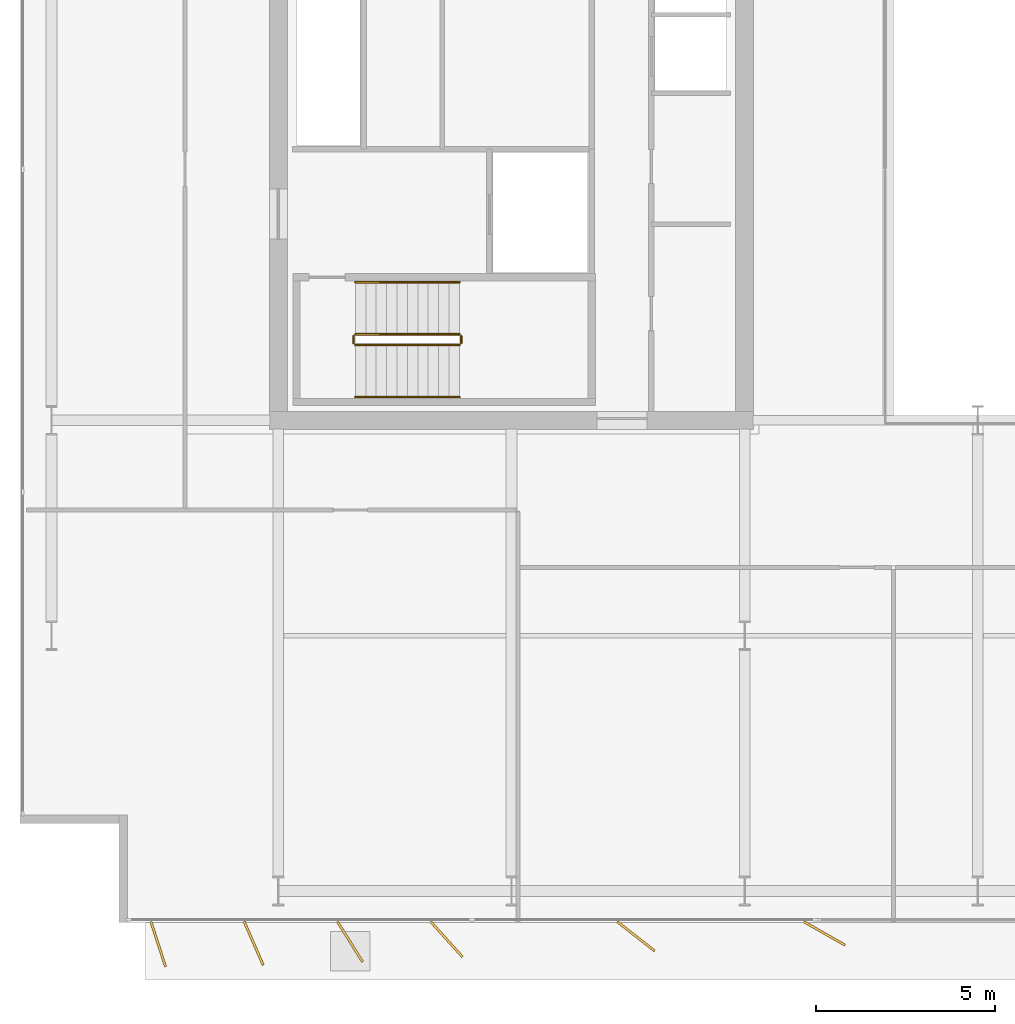
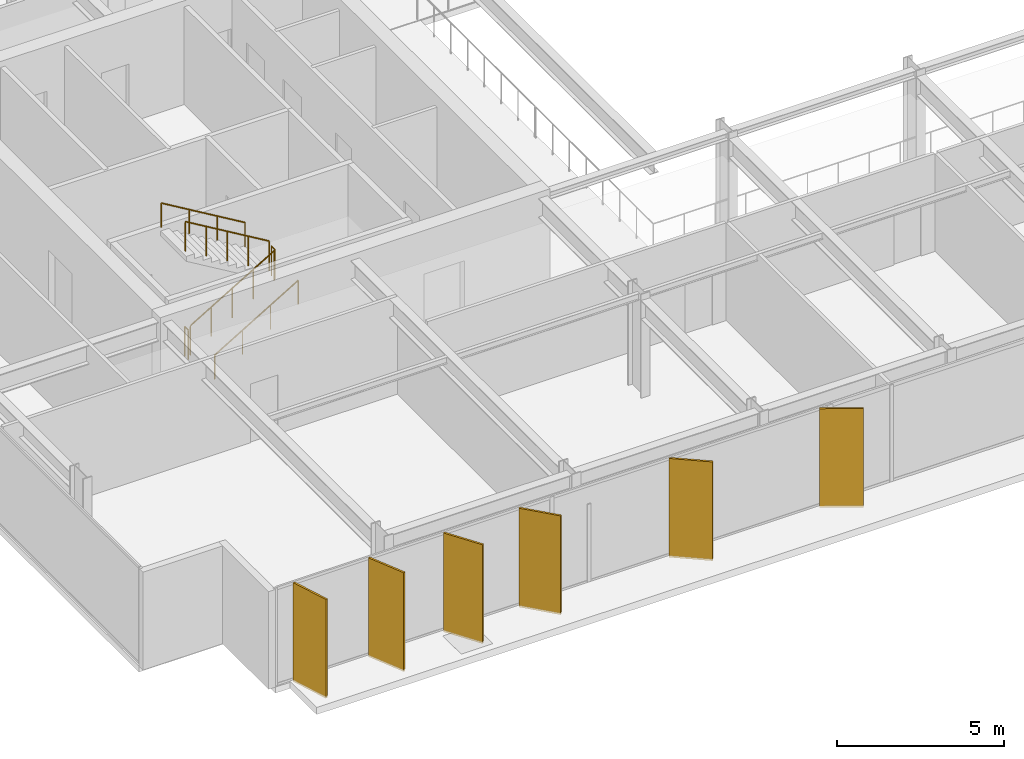
# One storey, part 20 of 23: 6 railings, 6 shading devices.
"""IFC4 building model written with IfcOpenShell, lengths in metres."""

from ifc_helpers import new_model, si_unit, direction, frame, origin, origin_2d, place, context, subcontext, project, spatial, rectangle, circle, extrude, material, layer, layer_set, type_object, element, save


model = new_model("IFC4")

# Units and contexts
model_context = context("Model", 3, precision=1e-05, world=origin(), true_north=direction((0.0, 1.0)))
body_context = subcontext(model_context, "Body", "Model", "MODEL_VIEW")
ifc_project = project(units=[si_unit("LENGTHUNIT", "METRE"), si_unit("AREAUNIT", "SQUARE_METRE"), si_unit("VOLUMEUNIT", "CUBIC_METRE"), si_unit("PLANEANGLEUNIT", "RADIAN"), si_unit("MASSUNIT", "GRAM", prefix="KILO")], contexts=[model_context])

# Site, building, storey
site_placement = place(None, origin())
site = spatial("IfcSite", under=ifc_project, at=site_placement, CompositionType="ELEMENT")
building_placement = place(site_placement, origin())
building = spatial("IfcBuilding", under=site, at=building_placement, Name="Putna Gate Headquarters", CompositionType="ELEMENT")
storey_placement = place(building_placement, frame((0.0, 0.0, 202.39990234375)))
storey = spatial("IfcBuildingStorey", under=building, at=storey_placement, Name="L50", CompositionType="ELEMENT", Elevation=202.39990234375)

# Railings
ifc_material_1 = material(Name="Powder-coated steel stair guardrail", Category="steel")
railing_type_1 = type_object("IfcRailingType", Name="RAIL-STAIR-GUARD-1100", PredefinedType="GUARDRAIL", material=ifc_material_1)
railing_1_placement = place(storey_placement, frame((15.14990234375, 21.10009765625, 0.1728515625)))
element("IfcRailing", 1, at=railing_1_placement, inside=storey, type_object=railing_type_1, Name="L50 ST1 stair guard 1", PredefinedType="GUARDRAIL", context=body_context, shape_type="SweptSolid", body=[
    extrude(circle(Radius=0.02392578125, at=origin_2d()), frame((0.0, 0.0, 1.076171875), z_axis=(0.859160404282, 0.0, 0.51170636083), x_axis=(0.0, 1.0, 0.0)), (0.0, 0.0, 1.0), 3.37548828125),
    extrude(circle(Radius=0.02099609375, at=origin_2d()), origin(), (0.0, 0.0, 1.0), 1.052001953125),
    extrude(circle(Radius=0.02099609375, at=origin_2d()), frame((0.72509765625, 0.0, 0.431884765625)), (0.0, 0.0, 1.0), 1.052001953125),
    extrude(circle(Radius=0.02099609375, at=origin_2d()), frame((1.4501953125, 0.0, 0.86376953125)), (0.0, 0.0, 1.0), 1.052001953125),
    extrude(circle(Radius=0.02099609375, at=origin_2d()), frame((2.175048828125, 0.0, 1.29541015625)), (0.0, 0.0, 1.0), 1.052001953125),
    extrude(circle(Radius=0.02099609375, at=origin_2d()), frame((2.900146484375, 0.0, 1.727294921875)), (0.0, 0.0, 1.0), 1.052001953125),
])
railing_2_placement = place(storey_placement, frame((18.10009765625, 21.14990234375, 1.900146484375)))
element("IfcRailing", 2, at=railing_2_placement, inside=storey, type_object=railing_type_1, Name="L50 ST1 stair guard 2", PredefinedType="GUARDRAIL", context=body_context, shape_type="SweptSolid", body=[
    extrude(circle(Radius=0.02392578125, at=origin_2d()), frame((0.0, 0.0, 1.076171875), z_axis=(0.0, 1.0, 0.0), x_axis=(-1.0, 0.0, 0.0)), (0.0, 0.0, 1.0), 0.2001953125),
    extrude(circle(Radius=0.02099609375, at=origin_2d()), origin(), (0.0, 0.0, 1.0), 1.052001953125),
    extrude(circle(Radius=0.02099609375, at=origin_2d()), frame((0.0, 0.2001953125, 0.0)), (0.0, 0.0, 1.0), 1.052001953125),
])
railing_3_placement = place(storey_placement, frame((18.050048828125, 21.39990234375, 2.07275390625)))
element("IfcRailing", 3, at=railing_3_placement, inside=storey, type_object=railing_type_1, Name="L50 ST1 stair guard 3", PredefinedType="GUARDRAIL", context=body_context, shape_type="SweptSolid", body=[
    extrude(circle(Radius=0.02392578125, at=origin_2d()), frame((0.0, 0.0, 1.076171875), z_axis=(-0.859160404282, 0.0, 0.51170636083), x_axis=(0.0, -1.0, 0.0)), (0.0, 0.0, 1.0), 3.37548828125),
    extrude(circle(Radius=0.02099609375, at=origin_2d()), origin(), (0.0, 0.0, 1.0), 1.052001953125),
    extrude(circle(Radius=0.02099609375, at=origin_2d()), frame((-0.72509765625, 0.0, 0.431884765625)), (0.0, 0.0, 1.0), 1.052001953125),
    extrude(circle(Radius=0.02099609375, at=origin_2d()), frame((-1.4501953125, 0.0, 0.86376953125)), (0.0, 0.0, 1.0), 1.052001953125),
    extrude(circle(Radius=0.02099609375, at=origin_2d()), frame((-2.175048828125, 0.0, 1.29541015625)), (0.0, 0.0, 1.0), 1.052001953125),
    extrude(circle(Radius=0.02099609375, at=origin_2d()), frame((-2.900146484375, 0.0, 1.727294921875)), (0.0, 0.0, 1.0), 1.052001953125),
])
railing_4_placement = place(storey_placement, frame((15.10009765625, 21.14990234375, 0.0)))
element("IfcRailing", 4, at=railing_4_placement, inside=storey, type_object=railing_type_1, Name="L50 ST1 stair guard 4", PredefinedType="GUARDRAIL", context=body_context, shape_type="SweptSolid", body=[
    extrude(circle(Radius=0.02392578125, at=origin_2d()), frame((0.0, 0.0, 1.076171875), z_axis=(0.0, 1.0, 0.0), x_axis=(-1.0, 0.0, 0.0)), (0.0, 0.0, 1.0), 0.2001953125),
    extrude(circle(Radius=0.02099609375, at=origin_2d()), origin(), (0.0, 0.0, 1.0), 1.052001953125),
    extrude(circle(Radius=0.02099609375, at=origin_2d()), frame((0.0, 0.2001953125, 0.0)), (0.0, 0.0, 1.0), 1.052001953125),
])
ifc_material_2 = material(Name="Brushed stainless steel handrail", Category="steel")
railing_type_2 = type_object("IfcRailingType", Name="RAIL-STAIR-HAND-900", PredefinedType="HANDRAIL", material=ifc_material_2)
railing_5_placement = place(storey_placement, frame((15.14990234375, 19.64990234375, 0.1728515625)))
element("IfcRailing", 5, at=railing_5_placement, inside=storey, type_object=railing_type_2, Name="L50 ST1 stair handrail 1", PredefinedType="HANDRAIL", context=body_context, shape_type="SweptSolid", body=[
    extrude(circle(Radius=0.02392578125, at=origin_2d()), frame((0.0, 0.0, 0.8759765625), z_axis=(0.859160404282, 0.0, 0.51170636083), x_axis=(0.0, 1.0, 0.0)), (0.0, 0.0, 1.0), 3.37548828125),
    extrude(circle(Radius=0.02099609375, at=origin_2d()), origin(), (0.0, 0.0, 1.0), 0.851806640625),
    extrude(circle(Radius=0.02099609375, at=origin_2d()), frame((0.966796875, 0.0, 0.57568359375)), (0.0, 0.0, 1.0), 0.851806640625),
    extrude(circle(Radius=0.02099609375, at=origin_2d()), frame((1.933349609375, 0.0, 1.151611328125)), (0.0, 0.0, 1.0), 0.851806640625),
    extrude(circle(Radius=0.02099609375, at=origin_2d()), frame((2.900146484375, 0.0, 1.727294921875)), (0.0, 0.0, 1.0), 0.851806640625),
])
railing_6_placement = place(storey_placement, frame((18.050048828125, 22.85009765625, 2.07275390625)))
element("IfcRailing", 6, at=railing_6_placement, inside=storey, type_object=railing_type_2, Name="L50 ST1 stair handrail 2", PredefinedType="HANDRAIL", context=body_context, shape_type="SweptSolid", body=[
    extrude(circle(Radius=0.02392578125, at=origin_2d()), frame((0.0, 0.0, 0.8759765625), z_axis=(-0.859160404282, 0.0, 0.51170636083), x_axis=(0.0, -1.0, 0.0)), (0.0, 0.0, 1.0), 3.37548828125),
    extrude(circle(Radius=0.02099609375, at=origin_2d()), origin(), (0.0, 0.0, 1.0), 0.851806640625),
    extrude(circle(Radius=0.02099609375, at=origin_2d()), frame((-0.966796875, 0.0, 0.57568359375)), (0.0, 0.0, 1.0), 0.851806640625),
    extrude(circle(Radius=0.02099609375, at=origin_2d()), frame((-1.933349609375, 0.0, 1.151611328125)), (0.0, 0.0, 1.0), 0.851806640625),
    extrude(circle(Radius=0.02099609375, at=origin_2d()), frame((-2.900146484375, 0.0, 1.727294921875)), (0.0, 0.0, 1.0), 0.851806640625),
])

# Shading devices
ifc_material_3 = material(Name="Anodised architectural bronze aluminium fin", Category="aluminium")
ifc_layer = layer(ifc_material_3, 0.06494140625)
ifc_layer_set = layer_set([ifc_layer], Name="Anodised architectural bronze aluminium fin")
shading_device_type = type_object("IfcShadingDeviceType", Name="SHADE-BRONZE-FIN-1320", PredefinedType="USERDEFINED", material=ifc_layer_set)
for number, where, z_axis, x_axis, name in (
    (7, (9.65380859375, 4.397216796875, -0.02001953125), (0.0, 0.0, 1.0), (0.308684994204, -0.951164325631, 0.0), "L50 Bronze Vertical Shading Fin S1"),
    (8, (12.314453125, 4.42041015625, -0.02001953125), (0.0, 0.0, 1.0), (0.400668879095, -0.916222925562, 0.0), "L50 Bronze Vertical Shading Fin S2"),
    (9, (15.000244140625, 4.465576171875, -0.02001953125), (0.0, 0.0, 1.0), (0.530659123936, -0.847585331506, 0.0), "L50 Bronze Vertical Shading Fin S3"),
    (10, (17.691650390625, 4.534423828125, -0.02001953125), (0.0, 0.0, 1.0), (0.669130606359, -0.743144825477, 0.0), "L50 Bronze Vertical Shading Fin S4"),
    (11, (22.9697265625, 4.6181640625, -0.02001953125), (0.0, 0.0, 1.0), (0.787473187632, -0.616348909921, 0.0), "L50 Bronze Vertical Shading Fin S5"),
    (12, (28.223876953125, 4.69873046875, -0.02001953125), (0.0, 0.0, 1.0), (0.869322458298, -0.494245347472, 0.0), "L50 Bronze Vertical Shading Fin S6"),
):
    element("IfcShadingDevice", number, at=place(storey_placement, frame(where, z_axis=z_axis, x_axis=x_axis)), inside=storey, type_object=shading_device_type, Name=name, ObjectType="FIN", PredefinedType="USERDEFINED", context=body_context, shape_type="SweptSolid", body=[
        extrude(rectangle(XDim=1.320068359375, YDim=0.06494140625, at=origin_2d()), origin(), (0.0, 0.0, 1.0), 3.6201171875),
    ])

save(model, "model.ifc")
